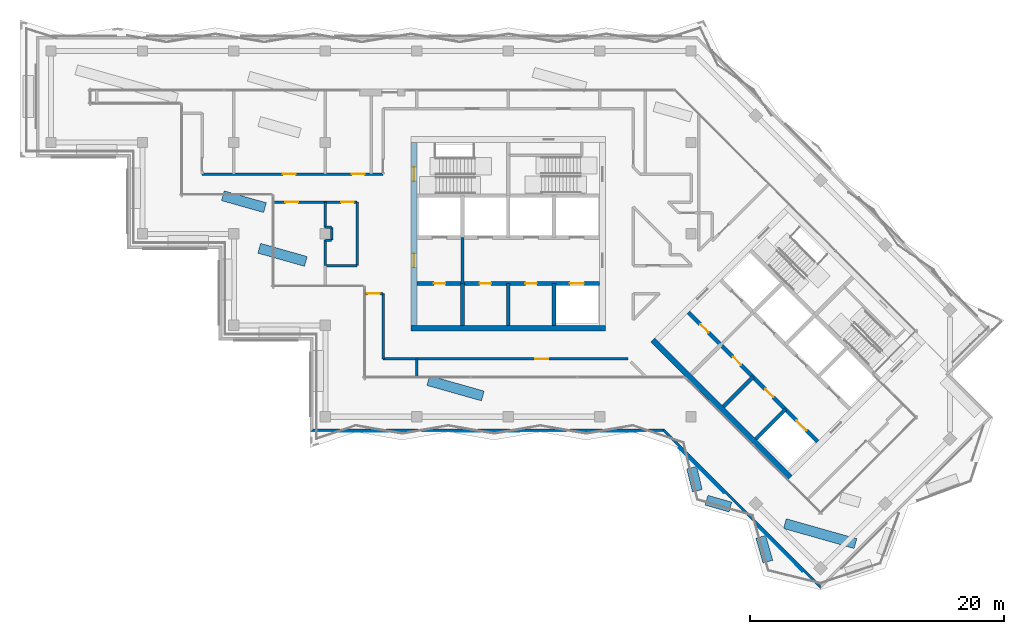
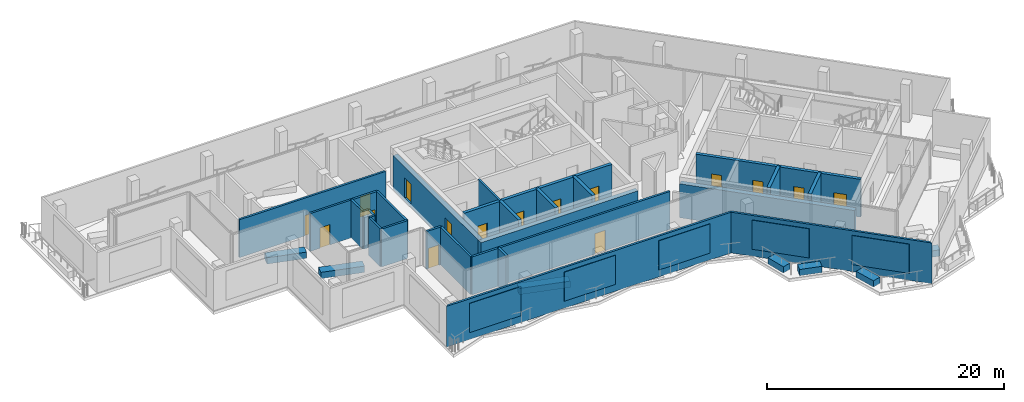
# One storey, part 9 of 19: 33 walls, 16 doors, 5 plates, 16 openings.
"""IFC4 building model written with IfcOpenShell, lengths in metres."""

import ifcopenshell
import ifcopenshell.guid

model = None  # the IFC model being written
_history = None  # IfcOwnerHistory: only IFC2X3 demands one
_inside = {}  # id of a spatial element -> (the spatial element, [elements in it])
_under = {}  # id of a project, library or spatial element -> (it, [spatial elements below it])
_declared = {}  # id of a project -> (the project, [libraries it declares])
_typed = {}  # id of a type object -> (the type object, [elements of that type])
_made_of = {}  # id of a material, layer set ... -> (it, [elements and type objects made of it])


def new_model(schema):
    """Start an empty IFC model of exactly this schema.

    Asked for "IFC4X3", IfcOpenShell would pick the latest addendum, in which some entities
    have other attributes; the version numbers below select the first issue.
    IFC2X3 requires an IfcOwnerHistory on every rooted entity: one is made here for all.
    """
    global model, _history
    if schema == "IFC4X3":
        model = ifcopenshell.file(schema_version=(4, 3, 0, 0))
    else:
        model = ifcopenshell.file(schema=schema)
    _inside.clear()
    _under.clear()
    _declared.clear()
    _typed.clear()
    _made_of.clear()
    _history = None
    if model.schema == "IFC2X3":
        org = make("IfcOrganization", Name="unknown")
        user = make(
            "IfcPersonAndOrganization",
            ThePerson=make("IfcPerson", FamilyName="unknown"),
            TheOrganization=org,
        )
        app = make(
            "IfcApplication",
            ApplicationDeveloper=org,
            Version="unknown",
            ApplicationFullName="unknown",
            ApplicationIdentifier="unknown",
        )
        _history = make(
            "IfcOwnerHistory",
            OwningUser=user,
            OwningApplication=app,
            ChangeAction="ADDED",
            CreationDate=0,
        )
    return model


def make(cls, **values):
    """One entity of the class cls with the attributes given. An attribute that is None is left unset."""
    return model.create_entity(
        cls, **{name: value for name, value in values.items() if value is not None}
    )


def rooted(cls, **values):
    """An entity with a GlobalId (a new one), such as an element, a storey or a relation."""
    return make(cls, GlobalId=ifcopenshell.guid.new(), OwnerHistory=_history, **values)


def si_unit(unit_type, name, prefix=None):
    """IfcSIUnit, for example si_unit("LENGTHUNIT", "METRE", prefix="MILLI")."""
    return make("IfcSIUnit", UnitType=unit_type, Prefix=prefix, Name=name)


def assignment(units):
    """IfcUnitAssignment: the units of a project."""
    return None if units is None else make("IfcUnitAssignment", Units=units)


def point(xyz):
    """IfcCartesianPoint."""
    return None if xyz is None else make("IfcCartesianPoint", Coordinates=xyz)


def direction(xyz):
    """IfcDirection."""
    return None if xyz is None else make("IfcDirection", DirectionRatios=xyz)


def frame(location, z_axis=None, x_axis=None):
    """IfcAxis2Placement3D, a coordinate frame: its origin and axes. An axis left out is left unset."""
    return make(
        "IfcAxis2Placement3D",
        Location=point(location),
        Axis=direction(z_axis),
        RefDirection=direction(x_axis),
    )


def frame_2d(location, x_axis=None):
    """IfcAxis2Placement2D, a coordinate frame in the plane: its origin and x axis."""
    return make(
        "IfcAxis2Placement2D", Location=point(location), RefDirection=direction(x_axis)
    )


def origin():
    """The frame at (0, 0, 0) with its axes left unset."""
    return frame((0.0, 0.0, 0.0))


def place(relative_to, where):
    """IfcLocalPlacement: puts the frame where relative to a parent placement (None: the world)."""
    return make(
        "IfcLocalPlacement", PlacementRelTo=relative_to, RelativePlacement=where
    )


def context(
    kind, dimensions, precision=None, world=None, true_north=None, identifier=None
):
    """IfcGeometricRepresentationContext, for example the 3D "Model" context."""
    return make(
        "IfcGeometricRepresentationContext",
        ContextIdentifier=identifier,
        ContextType=kind,
        CoordinateSpaceDimension=dimensions,
        Precision=precision,
        WorldCoordinateSystem=world,
        TrueNorth=true_north,
    )


def subcontext(parent, identifier, kind, view, scale=None):
    """IfcGeometricRepresentationSubContext, for example "Body" below "Model"."""
    return make(
        "IfcGeometricRepresentationSubContext",
        ContextIdentifier=identifier,
        ContextType=kind,
        ParentContext=parent,
        TargetScale=scale,
        TargetView=view,
    )


def project(units=None, contexts=None):
    """IfcProject with its units and contexts."""
    return rooted(
        "IfcProject",
        Name="project",
        RepresentationContexts=contexts,
        UnitsInContext=assignment(units),
    )


def spatial(cls, under=None, at=None, **own):
    """A site, building, storey or space (cls), placed at a placement, below another one or the project."""
    s = rooted(cls, ObjectPlacement=at, **own)
    if under is not None:
        _under.setdefault(under.id(), (under, []))[1].append(s)
    return s


def polyline(points):
    """IfcPolyline through the points."""
    return make("IfcPolyline", Points=[point(p) for p in points])


def profile(cls, at=None, kind="AREA", **sizes):
    """A parametric profile (cls). Its sizes go by their IFC names, for example OverallWidth=200.0."""
    return make(cls, ProfileType=kind, Position=at, **sizes)


def rectangle(**sizes):
    """IfcRectangleProfileDef."""
    return profile("IfcRectangleProfileDef", **sizes)


def outline(outer, holes=None, kind="AREA"):
    """IfcArbitraryClosedProfileDef: a profile drawn as a closed curve; with holes, ...WithVoids."""
    if holes is None:
        return make("IfcArbitraryClosedProfileDef", ProfileType=kind, OuterCurve=outer)
    return make(
        "IfcArbitraryProfileDefWithVoids",
        ProfileType=kind,
        OuterCurve=outer,
        InnerCurves=holes,
    )


def extrude(swept, where, along, depth):
    """IfcExtrudedAreaSolid: the profile swept, set in the frame where, extruded along a direction by depth."""
    return make(
        "IfcExtrudedAreaSolid",
        SweptArea=swept,
        Position=where,
        ExtrudedDirection=direction(along),
        Depth=depth,
    )


def shape(context_of_items, identifier, shape_type, items):
    """IfcShapeRepresentation: the items that make up one representation, for example the "Body"."""
    return make(
        "IfcShapeRepresentation",
        ContextOfItems=context_of_items,
        RepresentationIdentifier=identifier,
        RepresentationType=shape_type,
        Items=items,
    )


def material(Name=None, Category=None):
    """IfcMaterial."""
    return make("IfcMaterial", Name=Name, Category=Category)


def layer(
    of_material, thickness, ventilated=None, Name=None, Category=None, Priority=None
):
    """IfcMaterialLayer: one layer of a wall or slab, of a material (None: an air gap)."""
    return make(
        "IfcMaterialLayer",
        Material=of_material,
        LayerThickness=thickness,
        IsVentilated=ventilated,
        Name=Name,
        Category=Category,
        Priority=Priority,
    )


def layer_set(layers, Name=None):
    """IfcMaterialLayerSet."""
    return make("IfcMaterialLayerSet", MaterialLayers=layers, LayerSetName=Name)


def made_of(thing, what):
    """Note that an element or type object is made of a material, layer set ...; save() writes the relation."""
    if what is not None:
        _made_of.setdefault(what.id(), (what, []))[1].append(thing)
    return thing


def type_object(cls, material=None, **own):
    """A type object (cls), such as IfcWallType, which elements share."""
    return made_of(rooted(cls, **own), material)


def element(
    cls,
    number,
    at=None,
    inside=None,
    cuts=None,
    type_object=None,
    material=None,
    context=None,
    identifier="Body",
    shape_type=None,
    held_by="IfcProductDefinitionShape",
    body=None,
    shapes=None,
    **own,
):
    """One element of the class cls, such as IfcWall. Its Tag is "e" and its number.

    at: its placement. inside: the storey or other place that contains it. cuts: it is an
    opening in that element (IfcRelVoidsElement). A single representation is given by context,
    identifier, shape_type and body (its items); several are given by shapes. held_by: the class
    of the entity that holds the representations. save() writes the other relations.
    """
    e = rooted(cls, Tag="e%d" % number, ObjectPlacement=at, **own)
    if body is not None:
        shapes = [shape(context, identifier, shape_type, body)]
    if shapes is not None:
        e.Representation = make(held_by, Representations=shapes)
    if inside is not None:
        _inside.setdefault(inside.id(), (inside, []))[1].append(e)
    if cuts is not None:
        rooted(
            "IfcRelVoidsElement", RelatingBuildingElement=cuts, RelatedOpeningElement=e
        )
    if type_object is not None:
        _typed.setdefault(type_object.id(), (type_object, []))[1].append(e)
    return made_of(e, material)


def fill(opening, filler):
    """IfcRelFillsElement: the door or window that sits in an opening."""
    return rooted(
        "IfcRelFillsElement",
        RelatingOpeningElement=opening,
        RelatedBuildingElement=filler,
    )


def aggregate(whole, parts):
    """IfcRelAggregates: a whole, such as a stair, and the parts it consists of."""
    return rooted("IfcRelAggregates", RelatingObject=whole, RelatedObjects=parts)


def save(model, path):
    """Write the relations noted so far, then the file.

    IfcRelAggregates (storeys below a building ...), IfcRelContainedInSpatialStructure (elements
    in a storey), IfcRelDefinesByType, IfcRelAssociatesMaterial and IfcRelDeclares: one each for
    every whole, place, type object, material and project.
    """
    for whole, parts in _under.values():
        aggregate(whole, parts)
    for where, things in _inside.values():
        rooted(
            "IfcRelContainedInSpatialStructure",
            RelatedElements=things,
            RelatingStructure=where,
        )
    for kind, things in _typed.values():
        rooted("IfcRelDefinesByType", RelatedObjects=things, RelatingType=kind)
    for what, things in _made_of.values():
        rooted("IfcRelAssociatesMaterial", RelatedObjects=things, RelatingMaterial=what)
    for by, libraries in _declared.values():
        rooted("IfcRelDeclares", RelatingContext=by, RelatedDefinitions=libraries)
    model.write(path)


model = new_model("IFC4")

# Units and contexts
model_context = context("Model", 3, precision=1e-05, world=origin(), true_north=direction((0.0, 1.0)))
body_context = subcontext(model_context, "Body", "Model", "MODEL_VIEW")
ifc_project = project(units=[si_unit("LENGTHUNIT", "METRE"), si_unit("AREAUNIT", "SQUARE_METRE"), si_unit("VOLUMEUNIT", "CUBIC_METRE"), si_unit("PLANEANGLEUNIT", "RADIAN"), si_unit("MASSUNIT", "GRAM", prefix="KILO")], contexts=[model_context])

# Plate
ifc_material_1 = material(Name="Aluminium louvre", Category="aluminium")
ifc_layer_1 = layer(ifc_material_1, 0.05)
ifc_layer_set_1 = layer_set([ifc_layer_1], Name="Belt louvre panel 5000x3000")
plate_type = type_object("IfcPlateType", Name="Belt louvre panel 5000x3000", PredefinedType="SHEET", material=ifc_layer_set_1)
site_placement = place(None, origin())
building_placement = place(site_placement, origin())
storey_placement = place(building_placement, frame((0.0, 0.0, 230.4)))
plate_1_placement = place(storey_placement, frame((51.4613, 42.0, 0.75), z_axis=(0.0, -1.0, 0.0), x_axis=(1.0, 0.0, 0.0)))
plate_1 = element("IfcPlate", 1, at=plate_1_placement, type_object=plate_type, Name="Belt louvre panel L63 59.1", PredefinedType="SHEET", context=body_context, shape_type="SweptSolid", body=[
    extrude(outline(polyline([(0.0, 0.0), (5.0, 0.0), (5.0, 3.0), (0.0, 3.0), (0.0, 0.0)])), origin(), (0.0, 0.0, -1.0), 0.05),
])

plate_2_placement = place(storey_placement, frame((60.684, 42.0, 0.75), z_axis=(0.0, -1.0, 0.0), x_axis=(1.0, 0.0, 0.0)))
plate_2 = element("IfcPlate", 2, at=plate_2_placement, type_object=plate_type, Name="Belt louvre panel L63 60.2", PredefinedType="SHEET", context=body_context, shape_type="SweptSolid", body=[
    extrude(outline(polyline([(0.0, 0.0), (5.0, 0.0), (5.0, 3.0), (0.0, 3.0), (0.0, 0.0)])), origin(), (0.0, 0.0, -1.0), 0.05),
])

plate_3_placement = place(storey_placement, frame((69.9067, 42.0, 0.75), z_axis=(0.0, -1.0, 0.0), x_axis=(1.0, 0.0, 0.0)))
plate_3 = element("IfcPlate", 3, at=plate_3_placement, type_object=plate_type, Name="Belt louvre panel L63 61.3", PredefinedType="SHEET", context=body_context, shape_type="SweptSolid", body=[
    extrude(outline(polyline([(0.0, 0.0), (5.0, 0.0), (5.0, 3.0), (0.0, 3.0), (0.0, 0.0)])), origin(), (0.0, 0.0, -1.0), 0.05),
])

plate_4_placement = place(storey_placement, frame((78.2353, 40.7207, 0.75), z_axis=(-0.7071167811, -0.7070967812, 0.0), x_axis=(0.7070967812, -0.7071167811, 0.0)))
plate_4 = element("IfcPlate", 4, at=plate_4_placement, type_object=plate_type, Name="Belt louvre panel L63 67.1", PredefinedType="SHEET", context=body_context, shape_type="SweptSolid", body=[
    extrude(outline(polyline([(0.0, 0.0), (5.0, 0.0), (5.0, 3.0), (0.0, 3.0), (0.0, 0.0)])), origin(), (0.0, 0.0, -1.0), 0.05),
])

plate_5_placement = place(storey_placement, frame((84.4174, 34.5385, 0.75), z_axis=(-0.7070967812, -0.7071167811, 0.0), x_axis=(0.7071167811, -0.7070967812, 0.0)))
plate_5 = element("IfcPlate", 5, at=plate_5_placement, type_object=plate_type, Name="Belt louvre panel L63 68.2", PredefinedType="SHEET", context=body_context, shape_type="SweptSolid", body=[
    extrude(outline(polyline([(0.0, 0.0), (5.0, 0.0), (5.0, 3.0), (0.0, 3.0), (0.0, 0.0)])), origin(), (0.0, 0.0, -1.0), 0.05),
])

# Site, building, storey
site = spatial("IfcSite", under=ifc_project, at=site_placement, CompositionType="ELEMENT")
building = spatial("IfcBuilding", under=site, at=building_placement, Name="Windrow Commons", CompositionType="ELEMENT")
storey = spatial("IfcBuildingStorey", under=building, at=storey_placement, Name="L63", CompositionType="ELEMENT", Elevation=230.4)

# Wall
ifc_material_2 = material(Name="Concrete C40/50 precast screen panel", Category="concrete")
ifc_layer_2 = layer(ifc_material_2, 0.2)
ifc_layer_set_2 = layer_set([ifc_layer_2], Name="Belt screen wall 200")
wall_type_1 = type_object("IfcWallType", Name="Belt screen wall 200", PredefinedType="SOLIDWALL", material=ifc_layer_set_2)
wall_1_placement = place(storey_placement, frame((49.35, 42.15, 0.0), z_axis=(0.0, 0.0, 1.0), x_axis=(1.0, 0.0, 0.0)))
wall_1 = element("IfcWall", 6, at=wall_1_placement, inside=storey, type_object=wall_type_1, Name="Belt screen wall L63 59", PredefinedType="SOLIDWALL", context=body_context, shape_type="SweptSolid", body=[
    extrude(outline(polyline([(-0.1, -0.1), (27.6266, -0.1), (27.7095, 0.1), (0.1, 0.1), (-0.1, -0.1)])), origin(), (0.0, 0.0, 1.0), 4.2),
])

aggregate(wall_1, [plate_1, plate_2, plate_3])

wall_2_placement = place(storey_placement, frame((77.0181, 42.15, 0.0), z_axis=(0.0, 0.0, 1.0), x_axis=(0.7071039217, -0.7071096407, 0.0)))
wall_2 = element("IfcWall", 7, at=wall_2_placement, inside=storey, type_object=wall_type_1, Name="Belt screen wall L63 67", PredefinedType="SOLIDWALL", context=body_context, shape_type="SweptSolid", body=[
    extrude(outline(polyline([(0.0414, -0.1), (17.5857, -0.1), (17.3857, 0.1), (-0.0414, 0.1), (0.0414, -0.1)])), origin(), (0.0, 0.0, 1.0), 4.2),
])

aggregate(wall_2, [plate_4, plate_5])

ifc_material_3 = material(Name="Blockwork partition", Category="masonry")
ifc_layer_3 = layer(ifc_material_3, 0.2)
ifc_layer_set_3 = layer_set([ifc_layer_3], Name="Fire lobby partition 200")
wall_type_2 = type_object("IfcWallType", Name="Fire lobby partition 200", PredefinedType="PARTITIONING", material=ifc_layer_set_3)
wall_3_placement = place(storey_placement, frame((61.2, 53.7, 0.0), z_axis=(0.0, 0.0, 1.0), x_axis=(0.0, 1.0, 0.0)))
element("IfcWall", 8, at=wall_3_placement, inside=storey, type_object=wall_type_2, Name="W-core-lobby-A-L63", PredefinedType="PARTITIONING", context=body_context, shape_type="SweptSolid", body=[
    extrude(rectangle(XDim=3.6, YDim=0.2, at=frame_2d((1.8, 0.0))), origin(), (0.0, 0.0, 1.0), 3.9),
])

# Wall, opening, door
ifc_material_4 = material(Name="Blockwork partition", Category="masonry")
ifc_layer_4 = layer(ifc_material_4, 0.2)
ifc_layer_set_4 = layer_set([ifc_layer_4], Name="IW-CORRIDOR-200")
wall_type_3 = type_object("IfcWallType", Name="IW-CORRIDOR-200", PredefinedType="PARTITIONING", material=ifc_layer_set_4)
wall_4_placement = place(storey_placement, frame((54.95, 47.75, 0.0), z_axis=(0.0, 0.0, 1.0), x_axis=(1.0, 0.0, 0.0)))
wall_4 = element("IfcWall", 9, at=wall_4_placement, inside=storey, type_object=wall_type_3, Name="W-L63-W001", PredefinedType="PARTITIONING", context=body_context, shape_type="SweptSolid", body=[
    extrude(rectangle(XDim=19.296, YDim=0.2, at=frame_2d((9.648, 0.0))), origin(), (0.0, 0.0, 1.0), 3.9),
])
opening_1_placement = place(wall_4_placement, frame((11.9966, 0.0, 0.0)))
opening_1 = element("IfcOpeningElement", 10, at=opening_1_placement, cuts=wall_4, Name="Opening D310F", PredefinedType="OPENING", context=body_context, shape_type="SweptSolid", body=[
    extrude(rectangle(XDim=1.0, YDim=2.1, at=frame_2d((0.5, 1.05))), frame((0.0, 0.11, 0.0), z_axis=(0.0, -1.0, 0.0), x_axis=(1.0, 0.0, 0.0)), (0.0, 0.0, 1.0), 0.22),
])
ifc_material_5 = material(Name="Timber door leaf", Category="wood")
door_type_1 = type_object("IfcDoorType", Name="DT-AMENITY-1000", OperationType="SINGLE_SWING_LEFT", PredefinedType="DOOR", material=ifc_material_5)
door_1_placement = place(opening_1_placement, origin())
door_1 = element("IfcDoor", 11, at=door_1_placement, inside=storey, type_object=door_type_1, Name="D-L63-D001", OperationType="SINGLE_SWING_LEFT", OverallHeight=2.1, OverallWidth=1.0, PredefinedType="DOOR", context=body_context, shape_type="SweptSolid", body=[
    extrude(rectangle(XDim=1.0, YDim=2.1, at=frame_2d((0.5, 1.05))), frame((0.0, 0.025, 0.0), z_axis=(0.0, -1.0, 0.0), x_axis=(1.0, 0.0, 0.0)), (0.0, 0.0, 1.0), 0.05),
])
fill(opening_1, door_1)

# Wall, openings, doors
wall_5_placement = place(storey_placement, frame((40.702, 62.3, 0.0), z_axis=(0.0, 0.0, 1.0), x_axis=(1.0, 0.0, 0.0)))
wall_5 = element("IfcWall", 12, at=wall_5_placement, inside=storey, type_object=wall_type_3, Name="W-L63-W002", PredefinedType="PARTITIONING", context=body_context, shape_type="SweptSolid", body=[
    extrude(rectangle(XDim=14.248, YDim=0.2, at=frame_2d((7.124, 0.0))), origin(), (0.0, 0.0, 1.0), 3.9),
])
opening_2_placement = place(wall_5_placement, frame((6.3605, 0.0, 0.0)))
opening_2 = element("IfcOpeningElement", 13, at=opening_2_placement, cuts=wall_5, Name="Opening D310F", PredefinedType="OPENING", context=body_context, shape_type="SweptSolid", body=[
    extrude(rectangle(XDim=1.0, YDim=2.1, at=frame_2d((0.5, 1.05))), frame((0.0, 0.11, 0.0), z_axis=(0.0, -1.0, 0.0), x_axis=(1.0, 0.0, 0.0)), (0.0, 0.0, 1.0), 0.22),
])
opening_3_placement = place(wall_5_placement, frame((11.7905, 0.0, 0.0)))
opening_3 = element("IfcOpeningElement", 14, at=opening_3_placement, cuts=wall_5, Name="Opening D310F", PredefinedType="OPENING", context=body_context, shape_type="SweptSolid", body=[
    extrude(rectangle(XDim=1.0, YDim=2.1, at=frame_2d((0.5, 1.05))), frame((0.0, 0.11, 0.0), z_axis=(0.0, -1.0, 0.0), x_axis=(1.0, 0.0, 0.0)), (0.0, 0.0, 1.0), 0.22),
])
door_2_placement = place(opening_2_placement, origin())
door_2 = element("IfcDoor", 15, at=door_2_placement, inside=storey, type_object=door_type_1, Name="D-L63-D006", OperationType="SINGLE_SWING_RIGHT", OverallHeight=2.1, OverallWidth=1.0, PredefinedType="DOOR", context=body_context, shape_type="SweptSolid", body=[
    extrude(rectangle(XDim=1.0, YDim=2.1, at=frame_2d((0.5, 1.05))), frame((0.0, 0.025, 0.0), z_axis=(0.0, -1.0, 0.0), x_axis=(1.0, 0.0, 0.0)), (0.0, 0.0, 1.0), 0.05),
])
fill(opening_2, door_2)
door_3_placement = place(opening_3_placement, origin())
door_3 = element("IfcDoor", 16, at=door_3_placement, inside=storey, type_object=door_type_1, Name="D-L63-D007", OperationType="SINGLE_SWING_RIGHT", OverallHeight=2.1, OverallWidth=1.0, PredefinedType="DOOR", context=body_context, shape_type="SweptSolid", body=[
    extrude(rectangle(XDim=1.0, YDim=2.1, at=frame_2d((0.5, 1.05))), frame((0.0, 0.025, 0.0), z_axis=(0.0, -1.0, 0.0), x_axis=(1.0, 0.0, 0.0)), (0.0, 0.0, 1.0), 0.05),
])
fill(opening_3, door_3)

wall_6_placement = place(storey_placement, frame((46.33, 60.1, 0.0), z_axis=(0.0, 0.0, 1.0), x_axis=(1.0, 0.0, 0.0)))
wall_6 = element("IfcWall", 17, at=wall_6_placement, inside=storey, type_object=wall_type_3, Name="W-L63-W007", PredefinedType="PARTITIONING", context=body_context, shape_type="SweptSolid", body=[
    extrude(rectangle(XDim=6.57, YDim=0.2, at=frame_2d((3.285, 0.0))), origin(), (0.0, 0.0, 1.0), 3.9),
])
opening_4_placement = place(wall_6_placement, frame((0.9236, 0.0, 0.0)))
opening_4 = element("IfcOpeningElement", 18, at=opening_4_placement, cuts=wall_6, Name="Opening D310F", PredefinedType="OPENING", context=body_context, shape_type="SweptSolid", body=[
    extrude(rectangle(XDim=1.0, YDim=2.1, at=frame_2d((0.5, 1.05))), frame((0.0, 0.11, 0.0), z_axis=(0.0, -1.0, 0.0), x_axis=(1.0, 0.0, 0.0)), (0.0, 0.0, 1.0), 0.22),
])
opening_5_placement = place(wall_6_placement, frame((5.3225, 0.0, 0.0)))
opening_5 = element("IfcOpeningElement", 19, at=opening_5_placement, cuts=wall_6, Name="Opening D410F", PredefinedType="OPENING", context=body_context, shape_type="SweptSolid", body=[
    extrude(rectangle(XDim=1.0, YDim=2.1, at=frame_2d((0.5, 1.05))), frame((0.0, 0.11, 0.0), z_axis=(0.0, -1.0, 0.0), x_axis=(1.0, 0.0, 0.0)), (0.0, 0.0, 1.0), 0.22),
])
door_4_placement = place(opening_4_placement, origin())
door_4 = element("IfcDoor", 20, at=door_4_placement, inside=storey, type_object=door_type_1, Name="D-L63-D002", OperationType="SINGLE_SWING_RIGHT", OverallHeight=2.1, OverallWidth=1.0, PredefinedType="DOOR", context=body_context, shape_type="SweptSolid", body=[
    extrude(rectangle(XDim=1.0, YDim=2.1, at=frame_2d((0.5, 1.05))), frame((0.0, 0.025, 0.0), z_axis=(0.0, -1.0, 0.0), x_axis=(1.0, 0.0, 0.0)), (0.0, 0.0, 1.0), 0.05),
])
fill(opening_4, door_4)
ifc_material_6 = material(Name="Timber door leaf", Category="wood")
door_type_2 = type_object("IfcDoorType", Name="DT-SERVICE-1000", OperationType="SINGLE_SWING_LEFT", PredefinedType="DOOR", material=ifc_material_6)
door_5_placement = place(opening_5_placement, origin())
door_5 = element("IfcDoor", 21, at=door_5_placement, inside=storey, type_object=door_type_2, Name="D-L63-D003", OperationType="SINGLE_SWING_LEFT", OverallHeight=2.1, OverallWidth=1.0, PredefinedType="DOOR", context=body_context, shape_type="SweptSolid", body=[
    extrude(rectangle(XDim=1.0, YDim=2.1, at=frame_2d((0.5, 1.05))), frame((0.0, 0.025, 0.0), z_axis=(0.0, -1.0, 0.0), x_axis=(1.0, 0.0, 0.0)), (0.0, 0.0, 1.0), 0.05),
])
fill(opening_5, door_5)

# Walls
wall_7_placement = place(storey_placement, frame((54.95, 47.75, 0.0), z_axis=(0.0, 0.0, 1.0), x_axis=(0.0, 1.0, 0.0)))
element("IfcWall", 22, at=wall_7_placement, inside=storey, type_object=wall_type_3, Name="W-L63-W009", PredefinedType="PARTITIONING", context=body_context, shape_type="SweptSolid", body=[
    extrude(rectangle(XDim=5.15, YDim=0.2, at=frame_2d((2.575, 0.0))), origin(), (0.0, 0.0, 1.0), 3.9),
])
wall_8_placement = place(storey_placement, frame((52.9, 55.102, 0.0), z_axis=(0.0, 0.0, 1.0), x_axis=(0.0, 1.0, 0.0)))
element("IfcWall", 23, at=wall_8_placement, inside=storey, type_object=wall_type_3, Name="W-L63-W011", PredefinedType="PARTITIONING", context=body_context, shape_type="SweptSolid", body=[
    extrude(rectangle(XDim=4.998, YDim=0.2, at=frame_2d((2.499, 0.0))), origin(), (0.0, 0.0, 1.0), 3.9),
])
wall_9_placement = place(storey_placement, frame((50.4, 55.1, 0.0), z_axis=(0.0, 0.0, 1.0), x_axis=(1.0, 0.0, 0.0)))
element("IfcWall", 24, at=wall_9_placement, inside=storey, type_object=wall_type_3, Name="W-L63-W021", PredefinedType="PARTITIONING", context=body_context, shape_type="SweptSolid", body=[
    extrude(rectangle(XDim=2.5, YDim=0.2, at=frame_2d((1.25, 0.0))), origin(), (0.0, 0.0, 1.0), 3.9),
])

# Wall, opening, door
wall_10_placement = place(storey_placement, frame((53.53, 52.9, 0.0), z_axis=(0.0, 0.0, 1.0), x_axis=(1.0, 0.0, 0.0)))
wall_10 = element("IfcWall", 25, at=wall_10_placement, inside=storey, type_object=wall_type_3, Name="W-L63-W040", PredefinedType="PARTITIONING", context=body_context, shape_type="SweptSolid", body=[
    extrude(rectangle(XDim=1.42, YDim=0.2, at=frame_2d((0.71, 0.0))), origin(), (0.0, 0.0, 1.0), 3.9),
])
opening_6_placement = place(wall_10_placement, frame((0.1748, 0.0, 0.0)))
opening_6 = element("IfcOpeningElement", 26, at=opening_6_placement, cuts=wall_10, Name="Opening D310F", PredefinedType="OPENING", context=body_context, shape_type="SweptSolid", body=[
    extrude(rectangle(XDim=1.0, YDim=2.1, at=frame_2d((0.5, 1.05))), frame((0.0, 0.11, 0.0), z_axis=(0.0, -1.0, 0.0), x_axis=(1.0, 0.0, 0.0)), (0.0, 0.0, 1.0), 0.22),
])
door_6_placement = place(opening_6_placement, origin())
door_6 = element("IfcDoor", 27, at=door_6_placement, inside=storey, type_object=door_type_1, Name="D-L63-D000", OperationType="SINGLE_SWING_RIGHT", OverallHeight=2.1, OverallWidth=1.0, PredefinedType="DOOR", context=body_context, shape_type="SweptSolid", body=[
    extrude(rectangle(XDim=1.0, YDim=2.1, at=frame_2d((0.5, 1.05))), frame((0.0, 0.025, 0.0), z_axis=(0.0, -1.0, 0.0), x_axis=(1.0, 0.0, 0.0)), (0.0, 0.0, 1.0), 0.05),
])
fill(opening_6, door_6)

# Walls
ifc_material_7 = material(Name="Blockwork partition", Category="masonry")
ifc_layer_5 = layer(ifc_material_7, 0.2)
ifc_layer_set_5 = layer_set([ifc_layer_5], Name="IW-PARTY-200")
wall_type_4 = type_object("IfcWallType", Name="IW-PARTY-200", PredefinedType="PARTITIONING", material=ifc_layer_set_5)
wall_11_placement = place(storey_placement, frame((50.4, 55.1, 0.0), z_axis=(0.0, 0.0, 1.0), x_axis=(0.0, 1.0, 0.0)))
element("IfcWall", 28, at=wall_11_placement, inside=storey, type_object=wall_type_4, Name="W-L63-W029", PredefinedType="PARTITIONING", context=body_context, shape_type="SweptSolid", body=[
    extrude(rectangle(XDim=1.996, YDim=0.2, at=frame_2d((0.998, 0.0))), origin(), (0.0, 0.0, 1.0), 3.9),
])
wall_12_placement = place(storey_placement, frame((50.4, 58.106, 0.0), z_axis=(0.0, 0.0, 1.0), x_axis=(0.0, 1.0, 0.0)))
element("IfcWall", 29, at=wall_12_placement, inside=storey, type_object=wall_type_4, Name="W-L63-W030", PredefinedType="PARTITIONING", context=body_context, shape_type="SweptSolid", body=[
    extrude(rectangle(XDim=1.994, YDim=0.2, at=frame_2d((0.997, 0.0))), origin(), (0.0, 0.0, 1.0), 3.9),
])
wall_13_placement = place(storey_placement, frame((57.6, 46.33, 0.0), z_axis=(0.0, 0.0, 1.0), x_axis=(0.0, 1.0, 0.0)))
element("IfcWall", 30, at=wall_13_placement, inside=storey, type_object=wall_type_4, Name="W-L63-W041", PredefinedType="PARTITIONING", context=body_context, shape_type="SweptSolid", body=[
    extrude(rectangle(XDim=1.42, YDim=0.2, at=frame_2d((0.71, 0.0))), origin(), (0.0, 0.0, 1.0), 3.9),
])
wall_14_placement = place(storey_placement, frame((50.9, 57.096, 0.0), z_axis=(0.0, 0.0, 1.0), x_axis=(0.0, 1.0, 0.0)))
element("IfcWall", 31, at=wall_14_placement, inside=storey, type_object=wall_type_4, Name="W-L63-W047", PredefinedType="PARTITIONING", context=body_context, shape_type="SweptSolid", body=[
    extrude(rectangle(XDim=1.01, YDim=0.2, at=frame_2d((0.505, 0.0))), origin(), (0.0, 0.0, 1.0), 3.9),
])
for number, where, z_axis, x_axis, name in (
    (32, (50.4, 58.11, 0.0), (0.0, 0.0, 1.0), (1.0, 0.0, 0.0), "W-L63-W054"),
    (33, (50.4, 57.1, 0.0), (0.0, 0.0, 1.0), (1.0, 0.0, 0.0), "W-L63-W055"),
):
    element("IfcWall", number, at=place(storey_placement, frame(where, z_axis=z_axis, x_axis=x_axis)), inside=storey, type_object=wall_type_4, Name=name, PredefinedType="PARTITIONING", context=body_context, shape_type="SweptSolid", body=[
        extrude(rectangle(XDim=0.5, YDim=0.2, at=frame_2d((0.25, 0.0))), origin(), (0.0, 0.0, 1.0), 3.9),
    ])
ifc_material_8 = material(Name="Concrete C30/37 planter wall", Category="concrete")
ifc_layer_6 = layer(ifc_material_8, 0.8)
ifc_layer_set_6 = layer_set([ifc_layer_6], Name="Planter 800x600")
wall_type_5 = type_object("IfcWallType", Name="Planter 800x600", PredefinedType="SOLIDWALL", material=ifc_layer_set_6)
wall_15_placement = place(storey_placement, frame((79.2451, 39.1876, 0.0), z_axis=(0.0, 0.0, 1.0), x_axis=(0.2379162082, -0.9712856829, 0.0)))
element("IfcWall", 34, at=wall_15_placement, inside=storey, type_object=wall_type_5, Name="PLANTER TR-L63-1.2", PredefinedType="SOLIDWALL", context=body_context, shape_type="SweptSolid", body=[
    extrude(rectangle(XDim=1.8654, YDim=0.8, at=frame_2d((0.9327, 0.0))), origin(), (0.0, 0.0, 1.0), 0.65),
])
wall_16_placement = place(storey_placement, frame((80.4087, 36.6283, 0.0), z_axis=(0.0, 0.0, 1.0), x_axis=(0.9615990874, -0.2744580025, 0.0)))
element("IfcWall", 35, at=wall_16_placement, inside=storey, type_object=wall_type_5, Name="PLANTER TR-L63-1.3", PredefinedType="SOLIDWALL", context=body_context, shape_type="SweptSolid", body=[
    extrude(rectangle(XDim=1.9577, YDim=0.8, at=frame_2d((0.9788, 0.0))), origin(), (0.0, 0.0, 1.0), 0.65),
])
wall_17_placement = place(storey_placement, frame((84.6862, 33.7465, 0.0), z_axis=(0.0, 0.0, 1.0), x_axis=(0.2744349963, -0.9616056535, 0.0)))
element("IfcWall", 36, at=wall_17_placement, inside=storey, type_object=wall_type_5, Name="PLANTER TR-L63-1.4", PredefinedType="SOLIDWALL", context=body_context, shape_type="SweptSolid", body=[
    extrude(rectangle(XDim=2.0311, YDim=0.8, at=frame_2d((1.0155, 0.0))), origin(), (0.0, 0.0, 1.0), 0.65),
])
wall_18_placement = place(storey_placement, frame((45.6533, 59.6613, 0.0), z_axis=(0.0, 0.0, 1.0), x_axis=(-0.962261063, 0.2721279968, 0.0)))
element("IfcWall", 37, at=wall_18_placement, inside=storey, type_object=wall_type_5, Name="PLANTER TR-L63-1 bed 10", PredefinedType="SOLIDWALL", context=body_context, shape_type="SweptSolid", body=[
    extrude(rectangle(XDim=3.4495, YDim=0.8, at=frame_2d((1.7248, 0.0))), origin(), (0.0, 0.0, 1.0), 0.65),
])
wall_19_placement = place(storey_placement, frame((62.8017, 44.8354, 0.0), z_axis=(0.0, 0.0, 1.0), x_axis=(-0.962266055, 0.2721103442, 0.0)))
element("IfcWall", 38, at=wall_19_placement, inside=storey, type_object=wall_type_5, Name="PLANTER TR-L63-1 bed 14", PredefinedType="SOLIDWALL", context=body_context, shape_type="SweptSolid", body=[
    extrude(rectangle(XDim=4.4636, YDim=0.8, at=frame_2d((2.2318, 0.0))), origin(), (0.0, 0.0, 1.0), 0.65),
])
wall_20_placement = place(storey_placement, frame((92.1364, 33.2141, 0.0), z_axis=(0.0, 0.0, 1.0), x_axis=(-0.9622617834, 0.2721254495, 0.0)))
element("IfcWall", 39, at=wall_20_placement, inside=storey, type_object=wall_type_5, Name="PLANTER TR-L63-1 bed 15", PredefinedType="SOLIDWALL", context=body_context, shape_type="SweptSolid", body=[
    extrude(rectangle(XDim=5.7723, YDim=0.8, at=frame_2d((2.8862, 0.0))), origin(), (0.0, 0.0, 1.0), 0.65),
])
wall_21_placement = place(storey_placement, frame((48.8694, 55.4264, 0.0), z_axis=(0.0, 0.0, 1.0), x_axis=(-0.9622616458, 0.2721259361, 0.0)))
element("IfcWall", 40, at=wall_21_placement, inside=storey, type_object=wall_type_5, Name="PLANTER TR-L63-1 bed 12", PredefinedType="SOLIDWALL", context=body_context, shape_type="SweptSolid", body=[
    extrude(outline(polyline([(0.0, -0.4), (3.8133, -0.4), (3.8133, 0.4), (0.0, 0.4), (0.0, -0.4)])), origin(), (0.0, 0.0, 1.0), 0.65),
])
ifc_material_9 = material(Name="Concrete C40/50", Category="concrete")
ifc_layer_7 = layer(ifc_material_9, 0.45)
ifc_layer_set_7 = layer_set([ifc_layer_7], Name="RC CORE WALL 450 C40/50")
wall_type_6 = type_object("IfcWallType", Name="RC CORE WALL 450 C40/50", PredefinedType="SHEAR", material=ifc_layer_set_7)
wall_22_placement = place(storey_placement, frame((57.15, 50.175, -0.3), z_axis=(0.0, 0.0, 1.0), x_axis=(1.0, 0.0, 0.0)))
element("IfcWall", 41, at=wall_22_placement, inside=storey, type_object=wall_type_6, Name="Core A wall outer-S", PredefinedType="SHEAR", context=body_context, shape_type="SweptSolid", body=[
    extrude(rectangle(XDim=15.3, YDim=0.45, at=frame_2d((7.65, 0.0))), origin(), (0.0, 0.0, 1.0), 3.5),
])

# Wall, openings, doors
wall_23_placement = place(storey_placement, frame((57.375, 50.4, -0.3), z_axis=(0.0, 0.0, 1.0), x_axis=(0.0, 1.0, 0.0)))
wall_23 = element("IfcWall", 42, at=wall_23_placement, inside=storey, type_object=wall_type_6, Name="Core A wall outer-W", PredefinedType="SHEAR", context=body_context, shape_type="SweptSolid", body=[
    extrude(rectangle(XDim=14.4, YDim=0.45, at=frame_2d((7.2, 0.0))), origin(), (0.0, 0.0, 1.0), 3.5),
])
opening_7_placement = place(wall_23_placement, frame((4.55, 0.0, 0.3)))
opening_7 = element("IfcOpeningElement", 43, at=opening_7_placement, cuts=wall_23, Name="Opening D6", PredefinedType="OPENING", context=body_context, shape_type="SweptSolid", body=[
    extrude(rectangle(XDim=1.1, YDim=2.1, at=frame_2d((0.55, 1.05))), frame((0.0, 0.235, 0.0), z_axis=(0.0, -1.0, 0.0), x_axis=(1.0, 0.0, 0.0)), (0.0, 0.0, 1.0), 0.47),
])
opening_8_placement = place(wall_23_placement, frame((11.35, 0.0, 0.3)))
opening_8 = element("IfcOpeningElement", 44, at=opening_8_placement, cuts=wall_23, Name="Opening D7", PredefinedType="OPENING", context=body_context, shape_type="SweptSolid", body=[
    extrude(rectangle(XDim=1.1, YDim=2.1, at=frame_2d((0.55, 1.05))), frame((0.0, 0.235, 0.0), z_axis=(0.0, -1.0, 0.0), x_axis=(1.0, 0.0, 0.0)), (0.0, 0.0, 1.0), 0.47),
])
ifc_material_10 = material(Name="Steel fire door leaf", Category="steel")
door_type_3 = type_object("IfcDoorType", Name="Core lobby door 1100", OperationType="SINGLE_SWING_LEFT", PredefinedType="DOOR", material=ifc_material_10)
door_7_placement = place(opening_7_placement, origin())
door_7 = element("IfcDoor", 45, at=door_7_placement, inside=storey, type_object=door_type_3, Name="Lift lobby door", OperationType="DOUBLE_DOOR_SINGLE_SWING", OverallHeight=2.1, OverallWidth=1.1, PredefinedType="DOOR", context=body_context, shape_type="SweptSolid", body=[
    extrude(rectangle(XDim=1.1, YDim=2.1, at=frame_2d((0.55, 1.05))), frame((0.0, 0.025, 0.0), z_axis=(0.0, -1.0, 0.0), x_axis=(1.0, 0.0, 0.0)), (0.0, 0.0, 1.0), 0.05),
])
fill(opening_7, door_7)
ifc_material_11 = material(Name="Steel fire door leaf", Category="steel")
door_type_4 = type_object("IfcDoorType", Name="Stair door 1100", OperationType="SINGLE_SWING_LEFT", PredefinedType="DOOR", material=ifc_material_11)
door_8_placement = place(opening_8_placement, origin())
door_8 = element("IfcDoor", 46, at=door_8_placement, inside=storey, type_object=door_type_4, Name="Stair door", OperationType="SINGLE_SWING_LEFT", OverallHeight=2.1, OverallWidth=1.1, PredefinedType="DOOR", context=body_context, shape_type="SweptSolid", body=[
    extrude(rectangle(XDim=1.1, YDim=2.1, at=frame_2d((0.55, 1.05))), frame((0.0, 0.025, 0.0), z_axis=(0.0, -1.0, 0.0), x_axis=(1.0, 0.0, 0.0)), (0.0, 0.0, 1.0), 0.05),
])
fill(opening_8, door_8)

# Walls
wall_24_placement = place(storey_placement, frame((76.1771, 49.2488, -0.3), z_axis=(0.0, 0.0, 1.0), x_axis=(0.7071100491, -0.7071035132, 0.0)))
element("IfcWall", 47, at=wall_24_placement, inside=storey, type_object=wall_type_6, Name="Core B wall outer-S", PredefinedType="SHEAR", context=body_context, shape_type="SweptSolid", body=[
    extrude(rectangle(XDim=15.3, YDim=0.45, at=frame_2d((7.65, 0.0))), origin(), (0.0, 0.0, 1.0), 3.5),
])
ifc_material_12 = material(Name="Concrete C40/50", Category="concrete")
ifc_layer_8 = layer(ifc_material_12, 0.3)
ifc_layer_set_8 = layer_set([ifc_layer_8], Name="RC SHAFT WALL 300 C40/50")
wall_type_7 = type_object("IfcWallType", Name="RC SHAFT WALL 300 C40/50", PredefinedType="SOLIDWALL", material=ifc_layer_set_8)
for number, where, z_axis, x_axis, name in (
    (48, (61.2, 50.4, 0.0), (0.0, 0.0, 1.0), (0.0, 1.0, 0.0), "Core A wall shaft-S1"),
    (49, (64.8, 50.4, 0.0), (0.0, 0.0, 1.0), (0.0, 1.0, 0.0), "Core A wall shaft-S2"),
    (50, (68.4, 50.4, 0.0), (0.0, 0.0, 1.0), (0.0, 1.0, 0.0), "Core A wall shaft-S3"),
):
    element("IfcWall", number, at=place(storey_placement, frame(where, z_axis=z_axis, x_axis=x_axis)), inside=storey, type_object=wall_type_7, Name=name, PredefinedType="SOLIDWALL", context=body_context, shape_type="SweptSolid", body=[
        extrude(rectangle(XDim=3.3, YDim=0.3, at=frame_2d((1.65, 0.0))), origin(), (0.0, 0.0, 1.0), 3.9),
    ])

# Wall, openings, doors
wall_25_placement = place(storey_placement, frame((57.6, 53.7, 0.0), z_axis=(0.0, 0.0, 1.0), x_axis=(1.0, 0.0, 0.0)))
wall_25 = element("IfcWall", 51, at=wall_25_placement, inside=storey, type_object=wall_type_7, Name="Core A wall lobby-S", PredefinedType="SOLIDWALL", context=body_context, shape_type="SweptSolid", body=[
    extrude(rectangle(XDim=14.4, YDim=0.3, at=frame_2d((7.2, 0.0))), origin(), (0.0, 0.0, 1.0), 3.9),
])
opening_9_placement = place(wall_25_placement, frame((1.35, 0.0, 0.0)))
opening_9 = element("IfcOpeningElement", 52, at=opening_9_placement, cuts=wall_25, Name="Opening D8", PredefinedType="OPENING", context=body_context, shape_type="SweptSolid", body=[
    extrude(rectangle(XDim=0.9, YDim=2.1, at=frame_2d((0.45, 1.05))), frame((0.0, 0.16, 0.0), z_axis=(0.0, -1.0, 0.0), x_axis=(1.0, 0.0, 0.0)), (0.0, 0.0, 1.0), 0.32),
])
opening_10_placement = place(wall_25_placement, frame((4.95, 0.0, 0.0)))
opening_10 = element("IfcOpeningElement", 53, at=opening_10_placement, cuts=wall_25, Name="Opening D8", PredefinedType="OPENING", context=body_context, shape_type="SweptSolid", body=[
    extrude(rectangle(XDim=0.9, YDim=2.1, at=frame_2d((0.45, 1.05))), frame((0.0, 0.16, 0.0), z_axis=(0.0, -1.0, 0.0), x_axis=(1.0, 0.0, 0.0)), (0.0, 0.0, 1.0), 0.32),
])
opening_11_placement = place(wall_25_placement, frame((8.55, 0.0, 0.0)))
opening_11 = element("IfcOpeningElement", 54, at=opening_11_placement, cuts=wall_25, Name="Opening D8", PredefinedType="OPENING", context=body_context, shape_type="SweptSolid", body=[
    extrude(rectangle(XDim=0.9, YDim=2.1, at=frame_2d((0.45, 1.05))), frame((0.0, 0.16, 0.0), z_axis=(0.0, -1.0, 0.0), x_axis=(1.0, 0.0, 0.0)), (0.0, 0.0, 1.0), 0.32),
])
opening_12_placement = place(wall_25_placement, frame((12.05, 0.0, 0.0)))
opening_12 = element("IfcOpeningElement", 55, at=opening_12_placement, cuts=wall_25, Name="Opening LD", PredefinedType="OPENING", context=body_context, shape_type="SweptSolid", body=[
    extrude(rectangle(XDim=1.1, YDim=2.1, at=frame_2d((0.55, 1.05))), frame((0.0, 0.16, 0.0), z_axis=(0.0, -1.0, 0.0), x_axis=(1.0, 0.0, 0.0)), (0.0, 0.0, 1.0), 0.32),
])
ifc_material_13 = material(Name="Steel fire door leaf", Category="steel")
door_type_5 = type_object("IfcDoorType", Name="Core store door 900", OperationType="SINGLE_SWING_LEFT", PredefinedType="DOOR", material=ifc_material_13)
door_9_placement = place(opening_9_placement, origin())
door_9 = element("IfcDoor", 56, at=door_9_placement, inside=storey, type_object=door_type_5, Name="Store door", OperationType="SINGLE_SWING_LEFT", OverallHeight=2.1, OverallWidth=0.9, PredefinedType="DOOR", context=body_context, shape_type="SweptSolid", body=[
    extrude(rectangle(XDim=0.9, YDim=2.1, at=frame_2d((0.45, 1.05))), frame((0.0, 0.025, 0.0), z_axis=(0.0, -1.0, 0.0), x_axis=(1.0, 0.0, 0.0)), (0.0, 0.0, 1.0), 0.05),
])
fill(opening_9, door_9)
door_10_placement = place(opening_10_placement, origin())
door_10 = element("IfcDoor", 57, at=door_10_placement, inside=storey, type_object=door_type_5, Name="Store door", OperationType="SINGLE_SWING_LEFT", OverallHeight=2.1, OverallWidth=0.9, PredefinedType="DOOR", context=body_context, shape_type="SweptSolid", body=[
    extrude(rectangle(XDim=0.9, YDim=2.1, at=frame_2d((0.45, 1.05))), frame((0.0, 0.025, 0.0), z_axis=(0.0, -1.0, 0.0), x_axis=(1.0, 0.0, 0.0)), (0.0, 0.0, 1.0), 0.05),
])
fill(opening_10, door_10)
door_11_placement = place(opening_11_placement, origin())
door_11 = element("IfcDoor", 58, at=door_11_placement, inside=storey, type_object=door_type_5, Name="Store door", OperationType="SINGLE_SWING_LEFT", OverallHeight=2.1, OverallWidth=0.9, PredefinedType="DOOR", context=body_context, shape_type="SweptSolid", body=[
    extrude(rectangle(XDim=0.9, YDim=2.1, at=frame_2d((0.45, 1.05))), frame((0.0, 0.025, 0.0), z_axis=(0.0, -1.0, 0.0), x_axis=(1.0, 0.0, 0.0)), (0.0, 0.0, 1.0), 0.05),
])
fill(opening_11, door_11)
ifc_material_14 = material(Name="Stainless steel door leaf", Category="steel")
door_type_6 = type_object("IfcDoorType", Name="Lift landing door 1100", OperationType="SLIDING_TO_LEFT", PredefinedType="DOOR", material=ifc_material_14)
door_12_placement = place(opening_12_placement, origin())
door_12 = element("IfcDoor", 59, at=door_12_placement, inside=storey, type_object=door_type_6, Name="Lift landing door", OperationType="SLIDING_TO_RIGHT", OverallHeight=2.1, OverallWidth=1.1, PredefinedType="DOOR", context=body_context, shape_type="SweptSolid", body=[
    extrude(rectangle(XDim=1.1, YDim=2.1, at=frame_2d((0.55, 1.05))), frame((0.0, 0.025, 0.0), z_axis=(0.0, -1.0, 0.0), x_axis=(1.0, 0.0, 0.0)), (0.0, 0.0, 1.0), 0.05),
])
fill(opening_12, door_12)

# Walls
for number, where, z_axis, x_axis, name in (
    (60, (81.7456, 43.9986, 0.0), (0.0, 0.0, 1.0), (0.7071067812, 0.7071067812, 0.0), "Core B wall shaft-S2"),
    (61, (84.2912, 41.453, 0.0), (0.0, 0.0, 1.0), (0.7071067812, 0.7071067812, 0.0), "Core B wall shaft-S3"),
):
    element("IfcWall", number, at=place(storey_placement, frame(where, z_axis=z_axis, x_axis=x_axis)), inside=storey, type_object=wall_type_7, Name=name, PredefinedType="SOLIDWALL", context=body_context, shape_type="SweptSolid", body=[
        extrude(rectangle(XDim=3.2999, YDim=0.3, at=frame_2d((1.65, 0.0))), origin(), (0.0, 0.0, 1.0), 3.9),
    ])

# Wall, openings, doors
wall_26_placement = place(storey_placement, frame((78.9879, 51.4232, 0.0), z_axis=(0.0, 0.0, 1.0), x_axis=(0.7071067812, -0.7071067812, 0.0)))
wall_26 = element("IfcWall", 62, at=wall_26_placement, inside=storey, type_object=wall_type_7, Name="Core B wall lobby-S", PredefinedType="SOLIDWALL", context=body_context, shape_type="SweptSolid", body=[
    extrude(rectangle(XDim=14.3999, YDim=0.3, at=frame_2d((7.2, 0.0))), origin(), (0.0, 0.0, 1.0), 3.9),
])
opening_13_placement = place(wall_26_placement, frame((1.35, 0.0, 0.0)))
opening_13 = element("IfcOpeningElement", 63, at=opening_13_placement, cuts=wall_26, Name="Opening D8", PredefinedType="OPENING", context=body_context, shape_type="SweptSolid", body=[
    extrude(rectangle(XDim=0.9, YDim=2.1, at=frame_2d((0.45, 1.05))), frame((0.0, 0.16, 0.0), z_axis=(0.0, -1.0, 0.0), x_axis=(1.0, 0.0, 0.0)), (0.0, 0.0, 1.0), 0.32),
])
opening_14_placement = place(wall_26_placement, frame((4.95, 0.0, 0.0)))
opening_14 = element("IfcOpeningElement", 64, at=opening_14_placement, cuts=wall_26, Name="Opening D8", PredefinedType="OPENING", context=body_context, shape_type="SweptSolid", body=[
    extrude(rectangle(XDim=0.9, YDim=2.1, at=frame_2d((0.45, 1.05))), frame((0.0, 0.16, 0.0), z_axis=(0.0, -1.0, 0.0), x_axis=(1.0, 0.0, 0.0)), (0.0, 0.0, 1.0), 0.32),
])
opening_15_placement = place(wall_26_placement, frame((8.55, 0.0, 0.0)))
opening_15 = element("IfcOpeningElement", 65, at=opening_15_placement, cuts=wall_26, Name="Opening D8", PredefinedType="OPENING", context=body_context, shape_type="SweptSolid", body=[
    extrude(rectangle(XDim=0.9, YDim=2.1, at=frame_2d((0.45, 1.05))), frame((0.0, 0.16, 0.0), z_axis=(0.0, -1.0, 0.0), x_axis=(1.0, 0.0, 0.0)), (0.0, 0.0, 1.0), 0.32),
])
opening_16_placement = place(wall_26_placement, frame((12.05, 0.0, 0.0)))
opening_16 = element("IfcOpeningElement", 66, at=opening_16_placement, cuts=wall_26, Name="Opening LD", PredefinedType="OPENING", context=body_context, shape_type="SweptSolid", body=[
    extrude(rectangle(XDim=1.1, YDim=2.1, at=frame_2d((0.55, 1.05))), frame((0.0, 0.16, 0.0), z_axis=(0.0, -1.0, 0.0), x_axis=(1.0, 0.0, 0.0)), (0.0, 0.0, 1.0), 0.32),
])
door_13_placement = place(opening_13_placement, origin())
door_13 = element("IfcDoor", 67, at=door_13_placement, inside=storey, type_object=door_type_5, Name="Store door", OperationType="SINGLE_SWING_LEFT", OverallHeight=2.1, OverallWidth=0.9, PredefinedType="DOOR", context=body_context, shape_type="SweptSolid", body=[
    extrude(rectangle(XDim=0.9, YDim=2.1, at=frame_2d((0.45, 1.05))), frame((0.0, 0.025, 0.0), z_axis=(0.0, -1.0, 0.0), x_axis=(1.0, 0.0, 0.0)), (0.0, 0.0, 1.0), 0.05),
])
fill(opening_13, door_13)
door_14_placement = place(opening_14_placement, origin())
door_14 = element("IfcDoor", 68, at=door_14_placement, inside=storey, type_object=door_type_5, Name="Store door", OperationType="SINGLE_SWING_LEFT", OverallHeight=2.1, OverallWidth=0.9, PredefinedType="DOOR", context=body_context, shape_type="SweptSolid", body=[
    extrude(rectangle(XDim=0.9, YDim=2.1, at=frame_2d((0.45, 1.05))), frame((0.0, 0.025, 0.0), z_axis=(0.0, -1.0, 0.0), x_axis=(1.0, 0.0, 0.0)), (0.0, 0.0, 1.0), 0.05),
])
fill(opening_14, door_14)
door_15_placement = place(opening_15_placement, origin())
door_15 = element("IfcDoor", 69, at=door_15_placement, inside=storey, type_object=door_type_5, Name="Store door", OperationType="SINGLE_SWING_LEFT", OverallHeight=2.1, OverallWidth=0.9, PredefinedType="DOOR", context=body_context, shape_type="SweptSolid", body=[
    extrude(rectangle(XDim=0.9, YDim=2.1, at=frame_2d((0.45, 1.05))), frame((0.0, 0.025, 0.0), z_axis=(0.0, -1.0, 0.0), x_axis=(1.0, 0.0, 0.0)), (0.0, 0.0, 1.0), 0.05),
])
fill(opening_15, door_15)
door_16_placement = place(opening_16_placement, origin())
door_16 = element("IfcDoor", 70, at=door_16_placement, inside=storey, type_object=door_type_6, Name="Lift landing door", OperationType="SLIDING_TO_RIGHT", OverallHeight=2.1, OverallWidth=1.1, PredefinedType="DOOR", context=body_context, shape_type="SweptSolid", body=[
    extrude(rectangle(XDim=1.1, YDim=2.1, at=frame_2d((0.55, 1.05))), frame((0.0, 0.025, 0.0), z_axis=(0.0, -1.0, 0.0), x_axis=(1.0, 0.0, 0.0)), (0.0, 0.0, 1.0), 0.05),
])
fill(opening_16, door_16)

save(model, "model.ifc")
